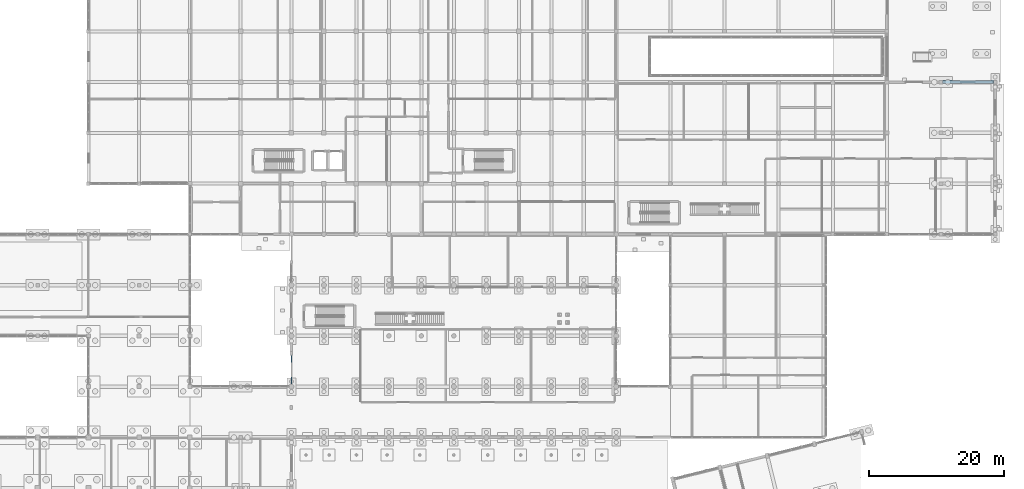
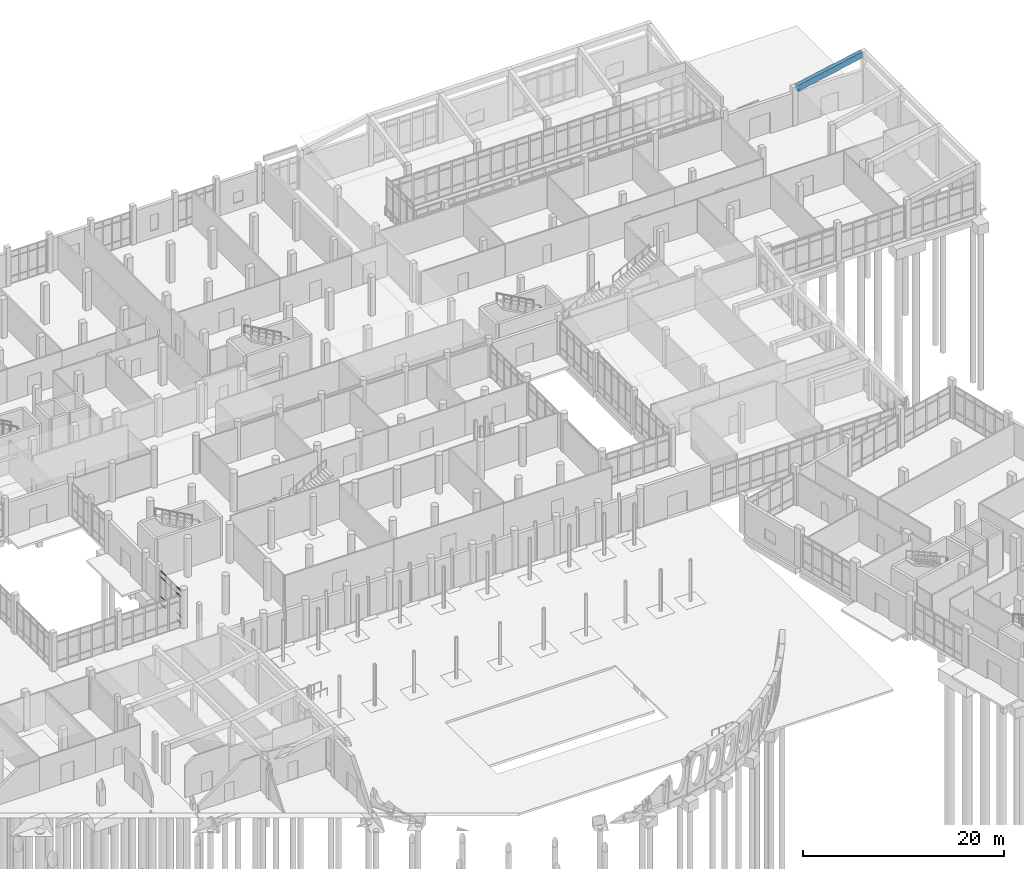
# One storey, part 122 of 173: 8 members, 1 beam, 1 element without a shape of its own.
"""IFC4 building model written with IfcOpenShell, lengths in metres."""

from ifc_helpers import new_model, si_unit, direction, frame, origin, origin_2d, place, context, subcontext, project, spatial, rectangle, hollow_rectangle, extrude, material, layer, layer_set, material_profile, profile_set, type_object, element, aggregate, save


model = new_model("IFC4")

# Units and contexts
model_context = context("Model", 3, precision=1e-05, world=origin(), true_north=direction((0.0, 1.0)))
body_context = subcontext(model_context, "Body", "Model", "MODEL_VIEW")
ifc_project = project(units=[si_unit("LENGTHUNIT", "METRE"), si_unit("AREAUNIT", "SQUARE_METRE"), si_unit("VOLUMEUNIT", "CUBIC_METRE"), si_unit("PLANEANGLEUNIT", "RADIAN"), si_unit("MASSUNIT", "GRAM", prefix="KILO")], contexts=[model_context])

# Site, building, storey
site_placement = place(None, origin())
site = spatial("IfcSite", under=ifc_project, at=site_placement, CompositionType="ELEMENT")
building_placement = place(site_placement, origin())
building = spatial("IfcBuilding", under=site, at=building_placement, Name="Mawjan Specialist Oncology Clinic", CompositionType="ELEMENT")
storey_placement = place(building_placement, origin())
storey = spatial("IfcBuildingStorey", under=building, at=storey_placement, Name="L00", CompositionType="ELEMENT", Elevation=0.0)

# Beam
ifc_material_1 = material(Name="Concrete C40/50", Category="concrete")
ifc_material_profile_1 = material_profile(ifc_material_1, rectangle(XDim=0.449951171875, YDim=0.699951171875, at=origin_2d()), Name="RC BM 450x700", Category="concrete")
ifc_profile_set_1 = profile_set([ifc_material_profile_1], Name="Concrete C40/50")
beam_type = type_object("IfcBeamType", Name="BM-450x700", PredefinedType="BEAM", material=ifc_profile_set_1)
beam_placement = place(storey_placement, frame((156.260009765625, 98.300048828125, 4.35009765625), z_axis=(0.979950378774, 0.0, 0.199241700304), x_axis=(0.0, 1.0, 0.0)))
element("IfcBeam", 1, at=beam_placement, inside=storey, type_object=beam_type, Name="L00 Roof Framing Beam BM-RF-L00-1256", PredefinedType="BEAM", context=body_context, shape_type="SweptSolid", body=[
    extrude(rectangle(XDim=0.449951171875, YDim=0.699951171875, at=origin_2d()), origin(), (0.0, 0.0, 1.0), 7.658447265625),
])

# Curtain wall, members
ifc_material_2 = material(Name="Unitised spectrally selective aluminium curtain wall", Category="aluminium")
ifc_layer = layer(ifc_material_2, 0.179931640625, Name="Unitised spectrally selective aluminium curtain wall", Category="aluminium")
ifc_layer_set = layer_set([ifc_layer], Name="Unitised spectrally selective aluminium curtain wall")
curtain_wall_type = type_object("IfcCurtainWallType", Name="CW-23", PredefinedType="NOTDEFINED", material=ifc_layer_set)
curtain_wall_placement = place(storey_placement, origin())
curtain_wall = element("IfcCurtainWall", 2, at=curtain_wall_placement, inside=storey, type_object=curtain_wall_type, Name="L00 Unitised Curtain Wall CW-L00-041", PredefinedType="NOTDEFINED")
ifc_material_3 = material(Name="Thermally broken aluminium 6063-T6", Category="aluminium")
ifc_material_profile_2 = material_profile(ifc_material_3, hollow_rectangle(XDim=0.06005859375, YDim=0.1201171875, WallThickness=0.00390625, at=origin_2d()), Name="ALU TRANSOM 120x60x4", Category="aluminium")
ifc_profile_set_2 = profile_set([ifc_material_profile_2], Name="Thermally broken aluminium 6063-T6")
member_type = type_object("IfcMemberType", Name="CW-T120", PredefinedType="USERDEFINED", material=ifc_profile_set_2)
member_1_placement = place(storey_placement, frame((60.0, 53.7548828125, 0.030029296875), z_axis=(0.0, 1.0, 0.0), x_axis=(-1.0, 0.0, 0.0)))
member_1 = element("IfcMember", 3, at=member_1_placement, type_object=member_type, Name="CW-23 transom 1.1", ObjectType="TRANSOM", PredefinedType="USERDEFINED", context=body_context, shape_type="SweptSolid", body=[
    extrude(hollow_rectangle(XDim=0.06005859375, YDim=0.1201171875, WallThickness=0.00390625, at=origin_2d()), origin(), (0.0, 0.0, 1.0), 0.962646484375),
])
member_2_placement = place(storey_placement, frame((60.0, 53.7548828125, 0.89990234375), z_axis=(0.0, 1.0, 0.0), x_axis=(-1.0, 0.0, 0.0)))
member_2 = element("IfcMember", 4, at=member_2_placement, type_object=member_type, Name="CW-23 transom 1.2", ObjectType="TRANSOM", PredefinedType="USERDEFINED", context=body_context, shape_type="SweptSolid", body=[
    extrude(hollow_rectangle(XDim=0.06005859375, YDim=0.1201171875, WallThickness=0.00390625, at=origin_2d()), origin(), (0.0, 0.0, 1.0), 0.962646484375),
])
member_3_placement = place(storey_placement, frame((60.0, 53.7548828125, 3.284912109375), z_axis=(0.0, 1.0, 0.0), x_axis=(-1.0, 0.0, 0.0)))
member_3 = element("IfcMember", 5, at=member_3_placement, type_object=member_type, Name="CW-23 transom 1.3", ObjectType="TRANSOM", PredefinedType="USERDEFINED", context=body_context, shape_type="SweptSolid", body=[
    extrude(hollow_rectangle(XDim=0.06005859375, YDim=0.1201171875, WallThickness=0.00390625, at=origin_2d()), origin(), (0.0, 0.0, 1.0), 0.962646484375),
])
member_4_placement = place(storey_placement, frame((60.0, 53.7548828125, 4.0048828125), z_axis=(0.0, 1.0, 0.0), x_axis=(-1.0, 0.0, 0.0)))
member_4 = element("IfcMember", 6, at=member_4_placement, type_object=member_type, Name="CW-23 transom 1.4", ObjectType="TRANSOM", PredefinedType="USERDEFINED", context=body_context, shape_type="SweptSolid", body=[
    extrude(hollow_rectangle(XDim=0.06005859375, YDim=0.1201171875, WallThickness=0.00390625, at=origin_2d()), origin(), (0.0, 0.0, 1.0), 0.962646484375),
])
member_5_placement = place(storey_placement, frame((60.0, 56.882568359375, 0.030029296875), z_axis=(0.0, 1.0, 0.0), x_axis=(-1.0, 0.0, 0.0)))
member_5 = element("IfcMember", 7, at=member_5_placement, type_object=member_type, Name="CW-23 transom 4.1", ObjectType="TRANSOM", PredefinedType="USERDEFINED", context=body_context, shape_type="SweptSolid", body=[
    extrude(hollow_rectangle(XDim=0.06005859375, YDim=0.1201171875, WallThickness=0.00390625, at=origin_2d()), origin(), (0.0, 0.0, 1.0), 0.96240234375),
])
member_6_placement = place(storey_placement, frame((60.0, 56.882568359375, 0.89990234375), z_axis=(0.0, 1.0, 0.0), x_axis=(-1.0, 0.0, 0.0)))
member_6 = element("IfcMember", 8, at=member_6_placement, type_object=member_type, Name="CW-23 transom 4.2", ObjectType="TRANSOM", PredefinedType="USERDEFINED", context=body_context, shape_type="SweptSolid", body=[
    extrude(hollow_rectangle(XDim=0.06005859375, YDim=0.1201171875, WallThickness=0.00390625, at=origin_2d()), origin(), (0.0, 0.0, 1.0), 0.96240234375),
])
member_7_placement = place(storey_placement, frame((60.0, 56.882568359375, 3.284912109375), z_axis=(0.0, 1.0, 0.0), x_axis=(-1.0, 0.0, 0.0)))
member_7 = element("IfcMember", 9, at=member_7_placement, type_object=member_type, Name="CW-23 transom 4.3", ObjectType="TRANSOM", PredefinedType="USERDEFINED", context=body_context, shape_type="SweptSolid", body=[
    extrude(hollow_rectangle(XDim=0.06005859375, YDim=0.1201171875, WallThickness=0.00390625, at=origin_2d()), origin(), (0.0, 0.0, 1.0), 0.96240234375),
])
member_8_placement = place(storey_placement, frame((60.0, 56.882568359375, 4.0048828125), z_axis=(0.0, 1.0, 0.0), x_axis=(-1.0, 0.0, 0.0)))
member_8 = element("IfcMember", 10, at=member_8_placement, type_object=member_type, Name="CW-23 transom 4.4", ObjectType="TRANSOM", PredefinedType="USERDEFINED", context=body_context, shape_type="SweptSolid", body=[
    extrude(hollow_rectangle(XDim=0.06005859375, YDim=0.1201171875, WallThickness=0.00390625, at=origin_2d()), origin(), (0.0, 0.0, 1.0), 0.96240234375),
])
aggregate(curtain_wall, [member_1, member_2, member_3, member_4, member_5, member_6, member_7, member_8])

save(model, "model.ifc")
